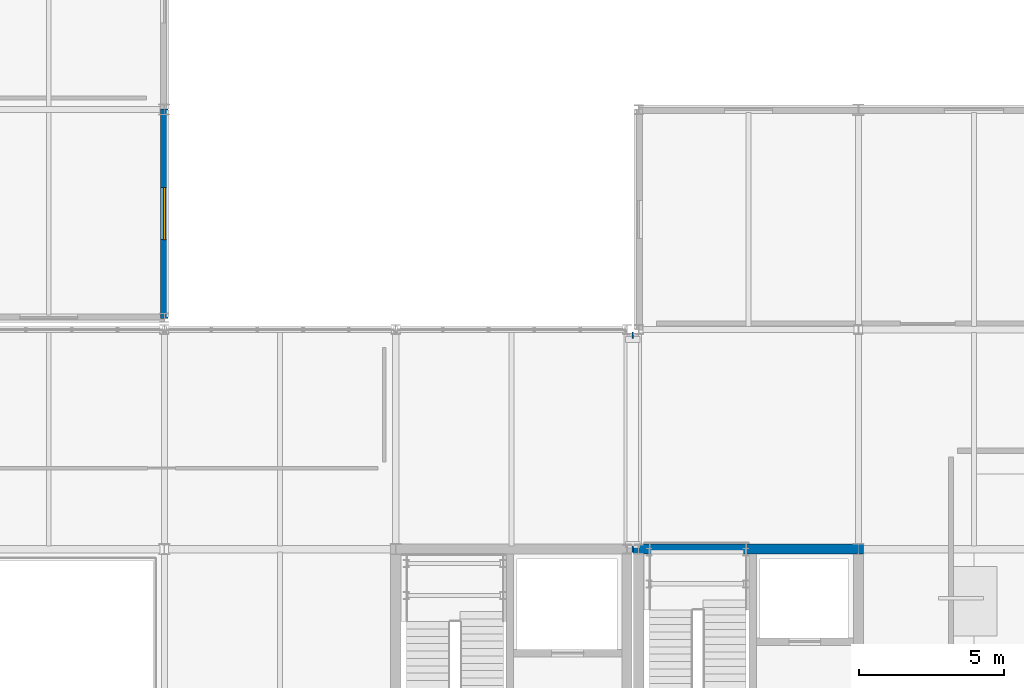
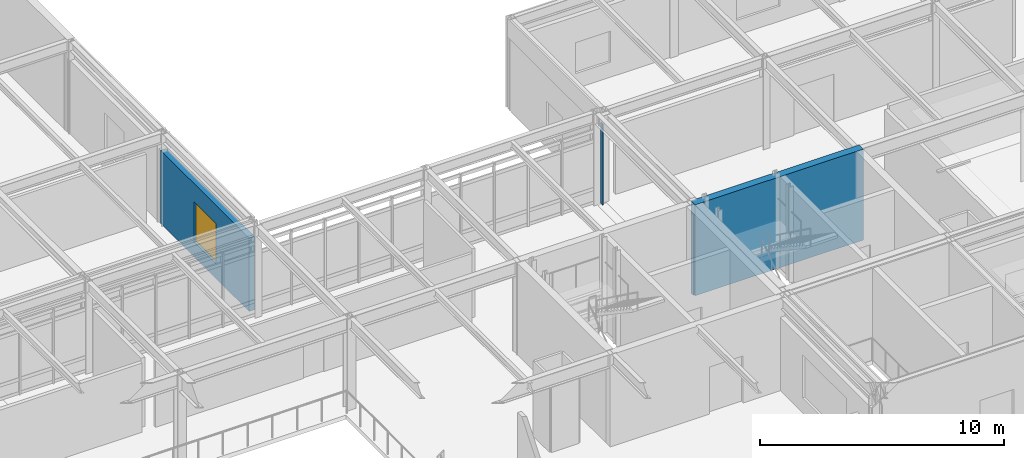
# One storey, part 86 of 104: 4 walls, 1 window, 1 opening.
"""IFC4 building model written with IfcOpenShell, lengths in metres."""

from ifc_helpers import new_model, si_unit, direction, frame, frame_2d, origin, place, context, subcontext, project, spatial, rectangle, extrude, material, layer, layer_set, type_object, element, fill, save


model = new_model("IFC4")

# Units and contexts
model_context = context("Model", 3, precision=1e-05, world=origin(), true_north=direction((0.0, 1.0)))
body_context = subcontext(model_context, "Body", "Model", "MODEL_VIEW")
ifc_project = project(units=[si_unit("LENGTHUNIT", "METRE"), si_unit("AREAUNIT", "SQUARE_METRE"), si_unit("VOLUMEUNIT", "CUBIC_METRE"), si_unit("PLANEANGLEUNIT", "RADIAN"), si_unit("MASSUNIT", "GRAM", prefix="KILO")], contexts=[model_context])

# Site, building, storey
site_placement = place(None, origin())
site = spatial("IfcSite", under=ifc_project, at=site_placement, CompositionType="ELEMENT")
building_placement = place(site_placement, origin())
building = spatial("IfcBuilding", under=site, at=building_placement, Name="Zulena Civic Courthouse", CompositionType="ELEMENT")
storey_placement = place(building_placement, frame((0.0, 0.0, 15.60009765625)))
storey = spatial("IfcBuildingStorey", under=building, at=storey_placement, Name="L03", CompositionType="ELEMENT", Elevation=15.60009765625)

# Walls
ifc_material_1 = material(Name="Travertine-cream architectural precast concrete C40/50", Category="masonry")
ifc_layer_1 = layer(ifc_material_1, 0.205078125)
ifc_layer_set_1 = layer_set([ifc_layer_1], Name="Travertine-cream architectural precast concrete C40/50")
wall_type_1 = type_object("IfcWallType", Name="BridgeWall_GlazedScreen_205", PredefinedType="STANDARD", material=ifc_layer_set_1)
for number, where, z_axis, x_axis, name in (
    (1, (124.219970703125, 38.0, 0.0), (0.0, 0.0, 1.0), (-1.0, 0.0, 0.0), "ewall:bridge:BR-43:L03:S"),
    (2, (124.179931640625, 45.39990234375, 0.0), (0.0, 0.0, 1.0), (1.0, 0.0, 0.0), "ewall:bridge:BR-43:L03:N"),
):
    element("IfcWall", number, at=place(storey_placement, frame(where, z_axis=z_axis, x_axis=x_axis)), inside=storey, type_object=wall_type_1, Name=name, PredefinedType="STANDARD", context=body_context, shape_type="SweptSolid", body=[
        extrude(rectangle(XDim=0.0400390625, YDim=0.205078125, at=frame_2d((0.02001953125, 0.0))), origin(), (0.0, 0.0, 1.0), 4.02001953125),
    ])
ifc_material_2 = material(Name="Concrete C40/50", Category="concrete")
ifc_layer_2 = layer(ifc_material_2, 0.35009765625)
ifc_layer_set_2 = layer_set([ifc_layer_2], Name="Concrete C40/50")
wall_type_2 = type_object("IfcWallType", Name="CoreShearWall_RC350", PredefinedType="SHEAR", material=ifc_layer_set_2)
wall_1_placement = place(storey_placement, frame((124.22509765625, 38.0, 0.0), z_axis=(0.0, 0.0, 1.0), x_axis=(1.0, 0.0, 0.0)))
element("IfcWall", 3, at=wall_1_placement, inside=storey, type_object=wall_type_2, Name="cwall:K3A:L03:N", PredefinedType="SHEAR", context=body_context, shape_type="SweptSolid", body=[
    extrude(rectangle(XDim=7.949951171875, YDim=0.35009765625, at=frame_2d((3.97509765625, 0.0))), origin(), (0.0, 0.0, 1.0), 4.544921875),
])

# Wall, opening, window
ifc_material_3 = material(Name="Buff architectural precast concrete C40/50", Category="concrete")
ifc_layer_3 = layer(ifc_material_3, 0.264892578125)
ifc_layer_set_3 = layer_set([ifc_layer_3], Name="Buff architectural precast concrete C40/50")
wall_type_3 = type_object("IfcWallType", Name="ExtWall_BuffPrecast_265", PredefinedType="STANDARD", material=ifc_layer_set_3)
wall_2_placement = place(storey_placement, frame((108.0, 53.219970703125, 0.0), z_axis=(0.0, 0.0, 1.0), x_axis=(0.0, -1.0, 0.0)))
wall_2 = element("IfcWall", 4, at=wall_2_placement, inside=storey, type_object=wall_type_3, Name="ewall:V5:L03:4:5", PredefinedType="STANDARD", context=body_context, shape_type="SweptSolid", body=[
    extrude(rectangle(XDim=7.239990234375, YDim=0.264892578125, at=frame_2d((3.6201171875, 0.0))), origin(), (0.0, 0.0, 1.0), 3.659912109375),
])
opening_placement = place(wall_2_placement, frame((2.719970703125, 0.0, 0.75)))
opening = element("IfcOpeningElement", 5, at=opening_placement, cuts=wall_2, Name="Opening WN03", PredefinedType="OPENING", context=body_context, shape_type="SweptSolid", body=[
    extrude(rectangle(XDim=1.800048828125, YDim=2.0, at=frame_2d((0.89990234375, 1.0))), frame((0.0, 0.142333984375, 0.0), z_axis=(0.0, -1.0, 0.0), x_axis=(1.0, 0.0, 0.0)), (0.0, 0.0, 1.0), 0.284912109375),
])
ifc_material_4 = material(Name="Double-silver low-E laminated solar-control glass", Category="glass")
window_type = type_object("IfcWindowType", Name="Win_1800x2000", PartitioningType="DOUBLE_PANEL_VERTICAL", PredefinedType="WINDOW", material=ifc_material_4)
window_placement = place(opening_placement, origin())
window = element("IfcWindow", 6, at=window_placement, inside=storey, type_object=window_type, Name="win:V5:L03:4:5", OverallHeight=2.0, OverallWidth=1.800048828125, PartitioningType="SINGLE_PANEL", PredefinedType="WINDOW", context=body_context, shape_type="SweptSolid", body=[
    extrude(rectangle(XDim=1.800048828125, YDim=2.0, at=frame_2d((0.89990234375, 1.0))), frame((0.0, 0.030029296875, 0.0), z_axis=(0.0, -1.0, 0.0), x_axis=(1.0, 0.0, 0.0)), (0.0, 0.0, 1.0), 0.06005859375),
])
fill(opening, window)

save(model, "model.ifc")
